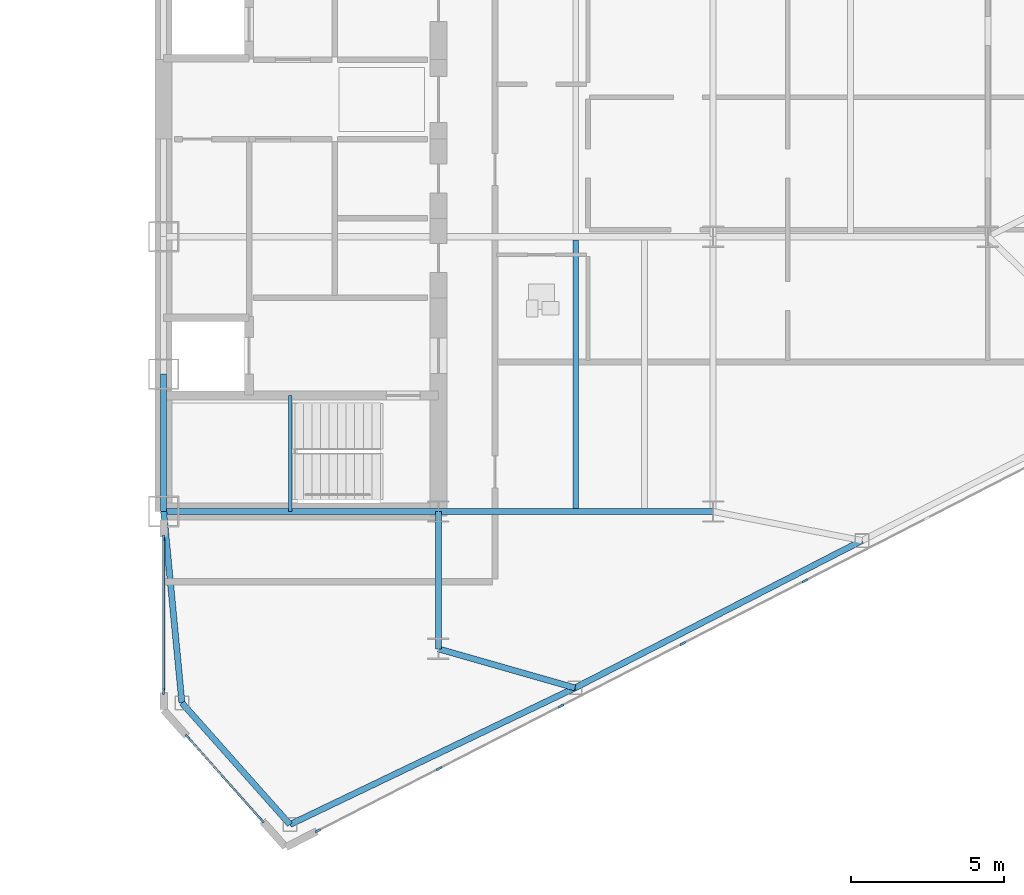
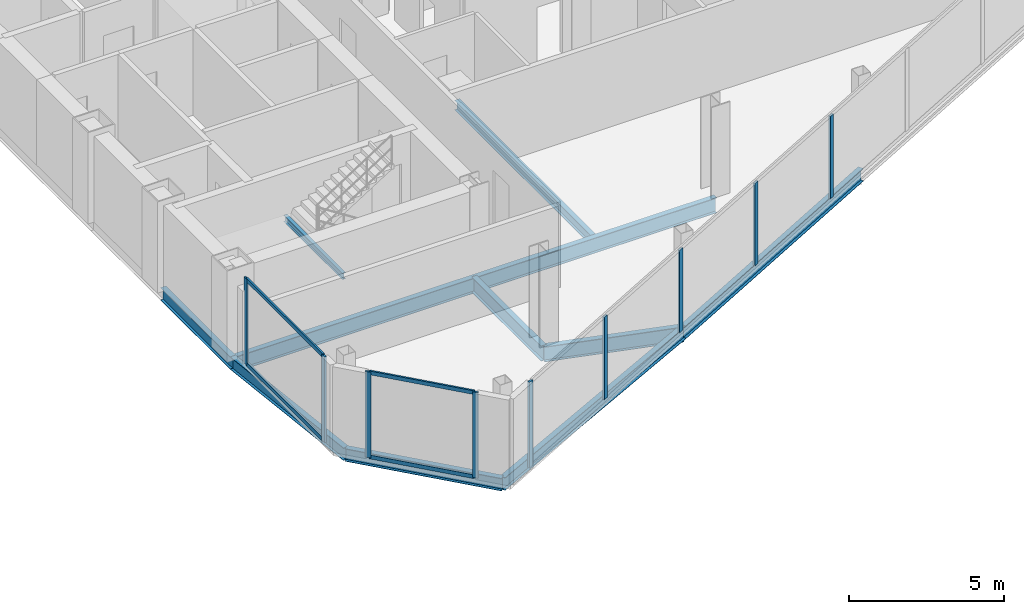
# One storey, part 8 of 22: 13 members, 11 beams, 3 elements without a shape of their own.
"""IFC4 building model written with IfcOpenShell, lengths in metres."""

import ifcopenshell
import ifcopenshell.guid

model = None  # the IFC model being written
_history = None  # IfcOwnerHistory: only IFC2X3 demands one
_inside = {}  # id of a spatial element -> (the spatial element, [elements in it])
_under = {}  # id of a project, library or spatial element -> (it, [spatial elements below it])
_declared = {}  # id of a project -> (the project, [libraries it declares])
_typed = {}  # id of a type object -> (the type object, [elements of that type])
_made_of = {}  # id of a material, layer set ... -> (it, [elements and type objects made of it])


def new_model(schema):
    """Start an empty IFC model of exactly this schema.

    Asked for "IFC4X3", IfcOpenShell would pick the latest addendum, in which some entities
    have other attributes; the version numbers below select the first issue.
    IFC2X3 requires an IfcOwnerHistory on every rooted entity: one is made here for all.
    """
    global model, _history
    if schema == "IFC4X3":
        model = ifcopenshell.file(schema_version=(4, 3, 0, 0))
    else:
        model = ifcopenshell.file(schema=schema)
    _inside.clear()
    _under.clear()
    _declared.clear()
    _typed.clear()
    _made_of.clear()
    _history = None
    if model.schema == "IFC2X3":
        org = make("IfcOrganization", Name="unknown")
        user = make(
            "IfcPersonAndOrganization",
            ThePerson=make("IfcPerson", FamilyName="unknown"),
            TheOrganization=org,
        )
        app = make(
            "IfcApplication",
            ApplicationDeveloper=org,
            Version="unknown",
            ApplicationFullName="unknown",
            ApplicationIdentifier="unknown",
        )
        _history = make(
            "IfcOwnerHistory",
            OwningUser=user,
            OwningApplication=app,
            ChangeAction="ADDED",
            CreationDate=0,
        )
    return model


def make(cls, **values):
    """One entity of the class cls with the attributes given. An attribute that is None is left unset."""
    return model.create_entity(
        cls, **{name: value for name, value in values.items() if value is not None}
    )


def rooted(cls, **values):
    """An entity with a GlobalId (a new one), such as an element, a storey or a relation."""
    return make(cls, GlobalId=ifcopenshell.guid.new(), OwnerHistory=_history, **values)


def si_unit(unit_type, name, prefix=None):
    """IfcSIUnit, for example si_unit("LENGTHUNIT", "METRE", prefix="MILLI")."""
    return make("IfcSIUnit", UnitType=unit_type, Prefix=prefix, Name=name)


def assignment(units):
    """IfcUnitAssignment: the units of a project."""
    return None if units is None else make("IfcUnitAssignment", Units=units)


def point(xyz):
    """IfcCartesianPoint."""
    return None if xyz is None else make("IfcCartesianPoint", Coordinates=xyz)


def direction(xyz):
    """IfcDirection."""
    return None if xyz is None else make("IfcDirection", DirectionRatios=xyz)


def frame(location, z_axis=None, x_axis=None):
    """IfcAxis2Placement3D, a coordinate frame: its origin and axes. An axis left out is left unset."""
    return make(
        "IfcAxis2Placement3D",
        Location=point(location),
        Axis=direction(z_axis),
        RefDirection=direction(x_axis),
    )


def frame_2d(location, x_axis=None):
    """IfcAxis2Placement2D, a coordinate frame in the plane: its origin and x axis."""
    return make(
        "IfcAxis2Placement2D", Location=point(location), RefDirection=direction(x_axis)
    )


def origin():
    """The frame at (0, 0, 0) with its axes left unset."""
    return frame((0.0, 0.0, 0.0))


def origin_2d():
    """The frame at (0, 0) in the plane with its x axis left unset."""
    return frame_2d((0.0, 0.0))


def place(relative_to, where):
    """IfcLocalPlacement: puts the frame where relative to a parent placement (None: the world)."""
    return make(
        "IfcLocalPlacement", PlacementRelTo=relative_to, RelativePlacement=where
    )


def context(
    kind, dimensions, precision=None, world=None, true_north=None, identifier=None
):
    """IfcGeometricRepresentationContext, for example the 3D "Model" context."""
    return make(
        "IfcGeometricRepresentationContext",
        ContextIdentifier=identifier,
        ContextType=kind,
        CoordinateSpaceDimension=dimensions,
        Precision=precision,
        WorldCoordinateSystem=world,
        TrueNorth=true_north,
    )


def subcontext(parent, identifier, kind, view, scale=None):
    """IfcGeometricRepresentationSubContext, for example "Body" below "Model"."""
    return make(
        "IfcGeometricRepresentationSubContext",
        ContextIdentifier=identifier,
        ContextType=kind,
        ParentContext=parent,
        TargetScale=scale,
        TargetView=view,
    )


def project(units=None, contexts=None):
    """IfcProject with its units and contexts."""
    return rooted(
        "IfcProject",
        Name="project",
        RepresentationContexts=contexts,
        UnitsInContext=assignment(units),
    )


def spatial(cls, under=None, at=None, **own):
    """A site, building, storey or space (cls), placed at a placement, below another one or the project."""
    s = rooted(cls, ObjectPlacement=at, **own)
    if under is not None:
        _under.setdefault(under.id(), (under, []))[1].append(s)
    return s


def profile(cls, at=None, kind="AREA", **sizes):
    """A parametric profile (cls). Its sizes go by their IFC names, for example OverallWidth=200.0."""
    return make(cls, ProfileType=kind, Position=at, **sizes)


def rectangle(**sizes):
    """IfcRectangleProfileDef."""
    return profile("IfcRectangleProfileDef", **sizes)


def i_section(**sizes):
    """IfcIShapeProfileDef."""
    return profile("IfcIShapeProfileDef", **sizes)


def extrude(swept, where, along, depth):
    """IfcExtrudedAreaSolid: the profile swept, set in the frame where, extruded along a direction by depth."""
    return make(
        "IfcExtrudedAreaSolid",
        SweptArea=swept,
        Position=where,
        ExtrudedDirection=direction(along),
        Depth=depth,
    )


def shape(context_of_items, identifier, shape_type, items):
    """IfcShapeRepresentation: the items that make up one representation, for example the "Body"."""
    return make(
        "IfcShapeRepresentation",
        ContextOfItems=context_of_items,
        RepresentationIdentifier=identifier,
        RepresentationType=shape_type,
        Items=items,
    )


def source(mapping_origin, context_of_items, identifier, shape_type, items):
    """IfcRepresentationMap: a shape defined once, which mapped items show again and again."""
    return make(
        "IfcRepresentationMap",
        MappingOrigin=mapping_origin,
        MappedRepresentation=shape(context_of_items, identifier, shape_type, items),
    )


def transform(
    local_origin,
    x_axis=None,
    y_axis=None,
    z_axis=None,
    scale=None,
    scale2=None,
    scale3=None,
    uniform=True,
):
    """IfcCartesianTransformationOperator3D, or its non-uniform kind. x_axis, y_axis, z_axis: its Axis1, 2, 3."""
    if uniform:
        return make(
            "IfcCartesianTransformationOperator3D",
            Axis1=direction(x_axis),
            Axis2=direction(y_axis),
            LocalOrigin=point(local_origin),
            Scale=scale,
            Axis3=direction(z_axis),
        )
    return make(
        "IfcCartesianTransformationOperator3DnonUniform",
        Axis1=direction(x_axis),
        Axis2=direction(y_axis),
        LocalOrigin=point(local_origin),
        Scale=scale,
        Axis3=direction(z_axis),
        Scale2=scale2,
        Scale3=scale3,
    )


def mapped(mapping_source, mapping_target):
    """IfcMappedItem: shows the shape of a source again, moved by a transform."""
    return make(
        "IfcMappedItem", MappingSource=mapping_source, MappingTarget=mapping_target
    )


def material(Name=None, Category=None):
    """IfcMaterial."""
    return make("IfcMaterial", Name=Name, Category=Category)


def layer(
    of_material, thickness, ventilated=None, Name=None, Category=None, Priority=None
):
    """IfcMaterialLayer: one layer of a wall or slab, of a material (None: an air gap)."""
    return make(
        "IfcMaterialLayer",
        Material=of_material,
        LayerThickness=thickness,
        IsVentilated=ventilated,
        Name=Name,
        Category=Category,
        Priority=Priority,
    )


def layer_set(layers, Name=None):
    """IfcMaterialLayerSet."""
    return make("IfcMaterialLayerSet", MaterialLayers=layers, LayerSetName=Name)


def material_profile(
    of_material, cross_section, Name=None, Category=None, Priority=None
):
    """IfcMaterialProfile: a cross section and its material."""
    return make(
        "IfcMaterialProfile",
        Name=Name,
        Material=of_material,
        Profile=cross_section,
        Priority=Priority,
        Category=Category,
    )


def profile_set(profiles, Name=None, composite=None):
    """IfcMaterialProfileSet."""
    return make(
        "IfcMaterialProfileSet",
        Name=Name,
        MaterialProfiles=profiles,
        CompositeProfile=composite,
    )


def made_of(thing, what):
    """Note that an element or type object is made of a material, layer set ...; save() writes the relation."""
    if what is not None:
        _made_of.setdefault(what.id(), (what, []))[1].append(thing)
    return thing


def type_object(cls, material=None, **own):
    """A type object (cls), such as IfcWallType, which elements share."""
    return made_of(rooted(cls, **own), material)


def type_shapes(of_type, sources):
    """Give a type object the sources (RepresentationMaps) that its elements show as mapped items."""
    of_type.RepresentationMaps = sources


def element(
    cls,
    number,
    at=None,
    inside=None,
    cuts=None,
    type_object=None,
    material=None,
    context=None,
    identifier="Body",
    shape_type=None,
    held_by="IfcProductDefinitionShape",
    body=None,
    shapes=None,
    **own,
):
    """One element of the class cls, such as IfcWall. Its Tag is "e" and its number.

    at: its placement. inside: the storey or other place that contains it. cuts: it is an
    opening in that element (IfcRelVoidsElement). A single representation is given by context,
    identifier, shape_type and body (its items); several are given by shapes. held_by: the class
    of the entity that holds the representations. save() writes the other relations.
    """
    e = rooted(cls, Tag="e%d" % number, ObjectPlacement=at, **own)
    if body is not None:
        shapes = [shape(context, identifier, shape_type, body)]
    if shapes is not None:
        e.Representation = make(held_by, Representations=shapes)
    if inside is not None:
        _inside.setdefault(inside.id(), (inside, []))[1].append(e)
    if cuts is not None:
        rooted(
            "IfcRelVoidsElement", RelatingBuildingElement=cuts, RelatedOpeningElement=e
        )
    if type_object is not None:
        _typed.setdefault(type_object.id(), (type_object, []))[1].append(e)
    return made_of(e, material)


def aggregate(whole, parts):
    """IfcRelAggregates: a whole, such as a stair, and the parts it consists of."""
    return rooted("IfcRelAggregates", RelatingObject=whole, RelatedObjects=parts)


def save(model, path):
    """Write the relations noted so far, then the file.

    IfcRelAggregates (storeys below a building ...), IfcRelContainedInSpatialStructure (elements
    in a storey), IfcRelDefinesByType, IfcRelAssociatesMaterial and IfcRelDeclares: one each for
    every whole, place, type object, material and project.
    """
    for whole, parts in _under.values():
        aggregate(whole, parts)
    for where, things in _inside.values():
        rooted(
            "IfcRelContainedInSpatialStructure",
            RelatedElements=things,
            RelatingStructure=where,
        )
    for kind, things in _typed.values():
        rooted("IfcRelDefinesByType", RelatedObjects=things, RelatingType=kind)
    for what, things in _made_of.values():
        rooted("IfcRelAssociatesMaterial", RelatedObjects=things, RelatingMaterial=what)
    for by, libraries in _declared.values():
        rooted("IfcRelDeclares", RelatingContext=by, RelatedDefinitions=libraries)
    model.write(path)


model = new_model("IFC4")

# Units and contexts
model_context = context("Model", 3, precision=1e-05, world=origin(), true_north=direction((0.0, 1.0)))
body_context = subcontext(model_context, "Body", "Model", "MODEL_VIEW")
ifc_project = project(units=[si_unit("LENGTHUNIT", "METRE"), si_unit("AREAUNIT", "SQUARE_METRE"), si_unit("VOLUMEUNIT", "CUBIC_METRE"), si_unit("PLANEANGLEUNIT", "RADIAN"), si_unit("MASSUNIT", "GRAM", prefix="KILO")], contexts=[model_context])

# Site, building, storey
site_placement = place(None, origin())
site = spatial("IfcSite", under=ifc_project, at=site_placement, CompositionType="ELEMENT")
building_placement = place(site_placement, origin())
building = spatial("IfcBuilding", under=site, at=building_placement, Name="Seokmaru Belvedere", CompositionType="ELEMENT")
storey_placement = place(building_placement, frame((0.0, 0.0, 151.199951171875)))
storey = spatial("IfcBuildingStorey", under=building, at=storey_placement, Name="L40", CompositionType="ELEMENT", Elevation=151.199951171875)

# Beams
ifc_material_1 = material(Name="Steel SM355 (355 MPa)", Category="steel")
ifc_material_profile_1 = material_profile(ifc_material_1, i_section(OverallWidth=0.199951171875, OverallDepth=0.5, WebThickness=0.010009765625, FlangeThickness=0.01611328125, at=origin_2d()), Name="H-500x200x10x16")
ifc_profile_set_1 = profile_set([ifc_material_profile_1], Name="Steel SM355 (355 MPa)")
beam_type_1 = type_object("IfcBeamType", Name="Perimeter Spandrel Beam H-500", PredefinedType="SPANDREL", material=ifc_profile_set_1)
shared_shape_1 = source(origin(), body_context, "Body", "SweptSolid", [
    extrude(i_section(OverallWidth=0.199951171875, OverallDepth=0.5, WebThickness=0.010009765625, FlangeThickness=0.01611328125, at=origin_2d()), origin(), (0.0, 0.0, 1.0), 4.5),
])
beam_1_placement = place(storey_placement, frame((27.5, -13.5, -0.469970703125), z_axis=(0.0, 1.0, 0.0), x_axis=(-1.0, 0.0, 0.0)))
element("IfcBeam", 1, at=beam_1_placement, inside=storey, type_object=beam_type_1, Name="L40 E Portal Spine Spandrel 1", PredefinedType="SPANDREL", context=body_context, shape_type="MappedRepresentation", body=[
    mapped(shared_shape_1, transform((0.0, 0.0, 0.0), scale=1.0)),
])
ifc_material_profile_2 = material_profile(ifc_material_1, i_section(OverallWidth=0.199951171875, OverallDepth=0.60009765625, WebThickness=0.010986328125, FlangeThickness=0.01708984375, at=origin_2d()), Name="H-600x200x11x17")
ifc_profile_set_2 = profile_set([ifc_material_profile_2], Name="Steel SM355 (355 MPa)")
beam_type_2 = type_object("IfcBeamType", Name="Primary Floor Girder H-600", PredefinedType="BEAM", material=ifc_profile_set_2)
shared_shape_2 = source(origin(), body_context, "Body", "SweptSolid", [
    extrude(i_section(OverallWidth=0.199951171875, OverallDepth=0.60009765625, WebThickness=0.010986328125, FlangeThickness=0.01708984375, at=origin_2d()), origin(), (0.0, 0.0, 1.0), 9.0),
])
for number, where, z_axis, x_axis, name in (
    (2, (27.5, -13.5, -0.52001953125), (1.0, 0.0, 0.0), (0.0, 1.0, 0.0), "L40 E Core Tie Girder 1"),
    (3, (36.5, -13.5, -0.52001953125), (1.0, 0.0, 0.0), (0.0, 1.0, 0.0), "L40 E Wing Primary Girder 1"),
):
    element("IfcBeam", number, at=place(storey_placement, frame(where, z_axis=z_axis, x_axis=x_axis)), inside=storey, type_object=beam_type_2, Name=name, PredefinedType="BEAM", context=body_context, shape_type="MappedRepresentation", body=[
        mapped(shared_shape_2, transform((0.0, 0.0, 0.0), scale=1.0)),
    ])
ifc_material_profile_3 = material_profile(ifc_material_1, i_section(OverallWidth=0.18505859375, OverallDepth=0.389892578125, WebThickness=0.008056640625, FlangeThickness=0.011962890625, at=origin_2d()), Name="H-390x185x8x12")
ifc_profile_set_3 = profile_set([ifc_material_profile_3], Name="Steel SM355 (355 MPa)")
beam_type_3 = type_object("IfcBeamType", Name="Secondary Floor Joist H-350", PredefinedType="JOIST", material=ifc_profile_set_3)
shared_shape_3 = source(origin(), body_context, "Body", "SweptSolid", [
    extrude(i_section(OverallWidth=0.18505859375, OverallDepth=0.389892578125, WebThickness=0.008056640625, FlangeThickness=0.011962890625, at=origin_2d()), origin(), (0.0, 0.0, 1.0), 8.7900390625),
])
type_shapes(beam_type_3, [shared_shape_3])
beam_2_placement = place(storey_placement, frame((41.0, -13.39501953125, -0.4150390625), z_axis=(0.0, 1.0, 0.0), x_axis=(-1.0, 0.0, 0.0)))
element("IfcBeam", 4, at=beam_2_placement, inside=storey, type_object=beam_type_3, Name="L40 E Secondary Floor Joist 1", PredefinedType="JOIST", context=body_context, shape_type="MappedRepresentation", body=[
    mapped(shared_shape_3, transform((0.0, 0.0, 0.0), scale=1.0)),
])
shared_shape_4 = source(origin(), body_context, "Body", "SweptSolid", [
    extrude(i_section(OverallWidth=0.199951171875, OverallDepth=0.60009765625, WebThickness=0.010986328125, FlangeThickness=0.01708984375, at=origin_2d()), origin(), (0.0, 0.0, 1.0), 4.5),
])
beam_3_placement = place(storey_placement, frame((36.5, -18.0, -0.52001953125), z_axis=(0.0, 1.0, 0.0), x_axis=(-1.0, 0.0, 0.0)))
element("IfcBeam", 5, at=beam_3_placement, inside=storey, type_object=beam_type_2, Name="L40 E Core Shoulder Girder S", PredefinedType="BEAM", context=body_context, shape_type="MappedRepresentation", body=[
    mapped(shared_shape_4, transform((0.0, 0.0, 0.0), scale=1.0)),
])
shared_shape_5 = source(origin(), body_context, "Body", "SweptSolid", [
    extrude(i_section(OverallWidth=0.199951171875, OverallDepth=0.5, WebThickness=0.010009765625, FlangeThickness=0.01611328125, at=origin_2d()), origin(), (0.0, 0.0, 1.0), 10.353759765625),
])
beam_4_placement = place(storey_placement, frame((31.6396484375, -23.75390625, -0.469970703125), z_axis=(0.901713202822, 0.432334708134, 0.0), x_axis=(-0.432334708134, 0.901713202822, 0.0)))
element("IfcBeam", 6, at=beam_4_placement, inside=storey, type_object=beam_type_1, Name="L40 E Faceted Flank Spandrel S-1", PredefinedType="SPANDREL", context=body_context, shape_type="MappedRepresentation", body=[
    mapped(shared_shape_5, transform((0.0, 0.0, 0.0), scale=1.0)),
])
shared_shape_6 = source(origin(), body_context, "Body", "SweptSolid", [
    extrude(i_section(OverallWidth=0.199951171875, OverallDepth=0.5, WebThickness=0.010009765625, FlangeThickness=0.01611328125, at=origin_2d()), origin(), (0.0, 0.0, 1.0), 10.56689453125),
])
beam_5_placement = place(storey_placement, frame((40.975830078125, -19.277587890625, -0.469970703125), z_axis=(0.889701972758, 0.45654178305, 0.0), x_axis=(-0.45654178305, 0.889701972758, 0.0)))
element("IfcBeam", 7, at=beam_5_placement, inside=storey, type_object=beam_type_1, Name="L40 E Faceted Flank Spandrel S-2", PredefinedType="SPANDREL", context=body_context, shape_type="MappedRepresentation", body=[
    mapped(shared_shape_6, transform((0.0, 0.0, 0.0), scale=1.0)),
])
shared_shape_7 = source(origin(), body_context, "Body", "SweptSolid", [
    extrude(i_section(OverallWidth=0.199951171875, OverallDepth=0.5, WebThickness=0.010009765625, FlangeThickness=0.01611328125, at=origin_2d()), origin(), (0.0, 0.0, 1.0), 5.32763671875),
])
beam_6_placement = place(storey_placement, frame((31.6396484375, -23.75390625, -0.469970703125), z_axis=(-0.66436952742, 0.74740426212, 0.0), x_axis=(-0.74740426212, -0.66436952742, 0.0)))
element("IfcBeam", 8, at=beam_6_placement, inside=storey, type_object=beam_type_1, Name="L40 E Shoulder Chamfer Spandrel S", PredefinedType="SPANDREL", context=body_context, shape_type="MappedRepresentation", body=[
    mapped(shared_shape_7, transform((0.0, 0.0, 0.0), scale=1.0)),
])
shared_shape_8 = source(origin(), body_context, "Body", "SweptSolid", [
    extrude(i_section(OverallWidth=0.199951171875, OverallDepth=0.5, WebThickness=0.010009765625, FlangeThickness=0.01611328125, at=origin_2d()), origin(), (0.0, 0.0, 1.0), 6.300537109375),
])
type_shapes(beam_type_1, [shared_shape_1, shared_shape_5, shared_shape_6, shared_shape_7, shared_shape_8])
beam_7_placement = place(storey_placement, frame((28.10009765625, -19.77197265625, -0.469970703125), z_axis=(-0.095244287992, 0.995453929424, 0.0), x_axis=(-0.995453929424, -0.095244287992, 0.0)))
element("IfcBeam", 9, at=beam_7_placement, inside=storey, type_object=beam_type_1, Name="L40 E Shoulder Spine Spandrel S", PredefinedType="SPANDREL", context=body_context, shape_type="MappedRepresentation", body=[
    mapped(shared_shape_8, transform((0.0, 0.0, 0.0), scale=1.0)),
])
shared_shape_9 = source(origin(), body_context, "Body", "SweptSolid", [
    extrude(i_section(OverallWidth=0.199951171875, OverallDepth=0.60009765625, WebThickness=0.010986328125, FlangeThickness=0.01708984375, at=origin_2d()), origin(), (0.0, 0.0, 1.0), 4.654541015625),
])
type_shapes(beam_type_2, [shared_shape_2, shared_shape_4, shared_shape_9])
beam_8_placement = place(storey_placement, frame((40.975830078125, -19.277587890625, -0.52001953125), z_axis=(-0.961593192625, 0.274478654721, 0.0), x_axis=(-0.274478654721, -0.961593192625, 0.0)))
element("IfcBeam", 10, at=beam_8_placement, inside=storey, type_object=beam_type_2, Name="L40 E Flank Radial Floor Girder S-1", PredefinedType="BEAM", context=body_context, shape_type="MappedRepresentation", body=[
    mapped(shared_shape_9, transform((0.0, 0.0, 0.0), scale=1.0)),
])

# Curtain wall, member
ifc_material_2 = material(Name="Bronze Triple Insulating Glass", Category="glass")
ifc_layer = layer(ifc_material_2, 0.195068359375)
ifc_layer_set = layer_set([ifc_layer], Name="Bronze Triple Insulating Glass")
curtain_wall_type = type_object("IfcCurtainWallType", Name="Sky-Lobby and Mid-Rise Curtain Wall System CW-4", PredefinedType="NOTDEFINED", material=ifc_layer_set)
curtain_wall_1_placement = place(storey_placement, origin())
curtain_wall_1 = element("IfcCurtainWall", 11, at=curtain_wall_1_placement, inside=storey, type_object=curtain_wall_type, Name="L40 Curtain Wall EF1", PredefinedType="NOTDEFINED")
ifc_material_3 = material(Name="Anodised Bronze Aluminium", Category="aluminium")
ifc_material_profile_4 = material_profile(ifc_material_3, rectangle(XDim=0.070068359375, YDim=0.195068359375, at=origin_2d()), Name="CW-M-70x195")
ifc_profile_set_4 = profile_set([ifc_material_profile_4], Name="Anodised Bronze Aluminium")
member_type_1 = type_object("IfcMemberType", Name="Bronze Unitised Mullion 70x195", PredefinedType="MULLION", material=ifc_profile_set_4)
shared_shape_10 = source(origin(), body_context, "Body", "SweptSolid", [
    extrude(rectangle(XDim=0.070068359375, YDim=0.195068359375, at=origin_2d()), origin(), (0.0, 0.0, 1.0), 3.380126953125),
])
member_1_placement = place(storey_placement, frame((32.55419921875, -23.958984375, 0.0), z_axis=(0.0, 0.0, 1.0), x_axis=(-0.456554528263, 0.889695432562, 0.0)))
member_1 = element("IfcMember", 12, at=member_1_placement, type_object=member_type_1, Name="CW:L40:EF1 Mullion 1", PredefinedType="MULLION", context=body_context, shape_type="MappedRepresentation", body=[
    mapped(shared_shape_10, transform((0.0, 0.0, 0.0), scale=1.0)),
])

# Curtain wall, members
curtain_wall_2_placement = place(storey_placement, origin())
curtain_wall_2 = element("IfcCurtainWall", 13, at=curtain_wall_2_placement, inside=storey, type_object=curtain_wall_type, Name="L40 Curtain Wall ESP_1", PredefinedType="NOTDEFINED")
member_2_placement = place(storey_placement, frame((27.5, -14.364990234375, 0.0), z_axis=(0.0, 0.0, 1.0), x_axis=(1.0, 0.0, 0.0)))
member_2 = element("IfcMember", 14, at=member_2_placement, type_object=member_type_1, Name="CW:L40:ESP_1 Mullion 1", PredefinedType="MULLION", context=body_context, shape_type="MappedRepresentation", body=[
    mapped(shared_shape_10, transform((0.0, 0.0, 0.0), scale=1.0)),
])
member_3_placement = place(storey_placement, frame((27.5, -19.39501953125, 0.0), z_axis=(0.0, 0.0, 1.0), x_axis=(1.0, 0.0, 0.0)))
member_3 = element("IfcMember", 15, at=member_3_placement, type_object=member_type_1, Name="CW:L40:ESP_1 Mullion 2", PredefinedType="MULLION", context=body_context, shape_type="MappedRepresentation", body=[
    mapped(shared_shape_10, transform((0.0, 0.0, 0.0), scale=1.0)),
])

curtain_wall_3_placement = place(storey_placement, origin())
curtain_wall_3 = element("IfcCurtainWall", 16, at=curtain_wall_3_placement, inside=storey, type_object=curtain_wall_type, Name="L40 Curtain Wall EF6", PredefinedType="NOTDEFINED")
member_4_placement = place(storey_placement, frame((28.287353515625, -20.8857421875, 0.0), z_axis=(0.0, 0.0, 1.0), x_axis=(0.747409774804, 0.664363325694, 0.0)))
member_4 = element("IfcMember", 17, at=member_4_placement, type_object=member_type_1, Name="CW:L40:EF6 Mullion 1", PredefinedType="MULLION", context=body_context, shape_type="MappedRepresentation", body=[
    mapped(shared_shape_10, transform((0.0, 0.0, 0.0), scale=1.0)),
])
member_5_placement = place(storey_placement, frame((30.712646484375, -23.6142578125, 0.0), z_axis=(0.0, 0.0, 1.0), x_axis=(0.747409774804, 0.664363325694, 0.0)))
member_5 = element("IfcMember", 18, at=member_5_placement, type_object=member_type_1, Name="CW:L40:EF6 Mullion 2", PredefinedType="MULLION", context=body_context, shape_type="MappedRepresentation", body=[
    mapped(shared_shape_10, transform((0.0, 0.0, 0.0), scale=1.0)),
])
ifc_material_profile_5 = material_profile(ifc_material_3, rectangle(XDim=0.06494140625, YDim=0.14990234375, at=origin_2d()), Name="CW-T-65x150")
ifc_profile_set_5 = profile_set([ifc_material_profile_5], Name="Anodised Bronze Aluminium")
member_type_2 = type_object("IfcMemberType", Name="Bronze Unitised Transom 65x150", PredefinedType="USERDEFINED", material=ifc_profile_set_5)
shared_shape_11 = source(origin(), body_context, "Body", "SweptSolid", [
    extrude(rectangle(XDim=0.06494140625, YDim=0.14990234375, at=origin_2d()), origin(), (0.0, 0.0, 1.0), 3.580810546875),
])
member_6_placement = place(storey_placement, frame((28.310546875, -20.911865234375, 0.032470703125), z_axis=(0.66436383883, -0.747409318684, 0.0), x_axis=(0.747409318684, 0.66436383883, 0.0)))
member_6 = element("IfcMember", 19, at=member_6_placement, type_object=member_type_2, Name="CW:L40:EF6 Continuous Transom 1", ObjectType="TRANSOM", PredefinedType="USERDEFINED", context=body_context, shape_type="MappedRepresentation", body=[
    mapped(shared_shape_11, transform((0.0, 0.0, 0.0), scale=1.0)),
])
member_7_placement = place(storey_placement, frame((28.310546875, -20.911865234375, 3.34765625), z_axis=(0.66436383883, -0.747409318684, 0.0), x_axis=(0.747409318684, 0.66436383883, 0.0)))
member_7 = element("IfcMember", 20, at=member_7_placement, type_object=member_type_2, Name="CW:L40:EF6 Continuous Transom 2", ObjectType="TRANSOM", PredefinedType="USERDEFINED", context=body_context, shape_type="MappedRepresentation", body=[
    mapped(shared_shape_11, transform((0.0, 0.0, 0.0), scale=1.0)),
])
aggregate(curtain_wall_3, [member_4, member_5, member_6, member_7])

# Member
shared_shape_12 = source(origin(), body_context, "Body", "SweptSolid", [
    extrude(rectangle(XDim=0.070068359375, YDim=0.195068359375, at=origin_2d()), origin(), (0.0, 0.0, 1.0), 3.25),
])
type_shapes(member_type_1, [shared_shape_10, shared_shape_12])
member_8_placement = place(storey_placement, frame((36.51806640625, -21.925048828125, 0.06494140625), z_axis=(0.0, 0.0, 1.0), x_axis=(-0.456554528263, 0.889695432562, 0.0)))
member_8 = element("IfcMember", 21, at=member_8_placement, type_object=member_type_1, Name="CW:L40:EF1 Mullion 2", PredefinedType="MULLION", context=body_context, shape_type="MappedRepresentation", body=[
    mapped(shared_shape_12, transform((0.0, 0.0, 0.0), scale=1.0)),
])

member_9_placement = place(storey_placement, frame((40.5126953125, -19.875, 0.06494140625), z_axis=(0.0, 0.0, 1.0), x_axis=(-0.456554528263, 0.889695432562, 0.0)))
member_9 = element("IfcMember", 22, at=member_9_placement, type_object=member_type_1, Name="CW:L40:EF1 Mullion 3", PredefinedType="MULLION", context=body_context, shape_type="MappedRepresentation", body=[
    mapped(shared_shape_12, transform((0.0, 0.0, 0.0), scale=1.0)),
])

member_10_placement = place(storey_placement, frame((44.5078125, -17.824951171875, 0.06494140625), z_axis=(0.0, 0.0, 1.0), x_axis=(-0.456554528263, 0.889695432562, 0.0)))
member_10 = element("IfcMember", 23, at=member_10_placement, type_object=member_type_1, Name="CW:L40:EF1 Mullion 4", PredefinedType="MULLION", context=body_context, shape_type="MappedRepresentation", body=[
    mapped(shared_shape_12, transform((0.0, 0.0, 0.0), scale=1.0)),
])

member_11_placement = place(storey_placement, frame((48.502685546875, -15.77490234375, 0.06494140625), z_axis=(0.0, 0.0, 1.0), x_axis=(-0.456554528263, 0.889695432562, 0.0)))
member_11 = element("IfcMember", 24, at=member_11_placement, type_object=member_type_1, Name="CW:L40:EF1 Mullion 5", PredefinedType="MULLION", context=body_context, shape_type="MappedRepresentation", body=[
    mapped(shared_shape_12, transform((0.0, 0.0, 0.0), scale=1.0)),
])

aggregate(curtain_wall_1, [member_1, member_8, member_9, member_10, member_11])

shared_shape_13 = source(origin(), body_context, "Body", "SweptSolid", [
    extrude(rectangle(XDim=0.06494140625, YDim=0.14990234375, at=origin_2d()), origin(), (0.0, 0.0, 1.0), 4.960205078125),
])
type_shapes(member_type_2, [shared_shape_11, shared_shape_13])
member_12_placement = place(storey_placement, frame((27.5, -14.39990234375, 0.032470703125), z_axis=(0.0, -1.0, 0.0), x_axis=(1.0, 0.0, 0.0)))
member_12 = element("IfcMember", 25, at=member_12_placement, type_object=member_type_2, Name="CW:L40:ESP_1 Continuous Transom 1", ObjectType="TRANSOM", PredefinedType="USERDEFINED", context=body_context, shape_type="MappedRepresentation", body=[
    mapped(shared_shape_13, transform((0.0, 0.0, 0.0), scale=1.0)),
])

member_13_placement = place(storey_placement, frame((27.5, -14.39990234375, 3.34765625), z_axis=(0.0, -1.0, 0.0), x_axis=(1.0, 0.0, 0.0)))
member_13 = element("IfcMember", 26, at=member_13_placement, type_object=member_type_2, Name="CW:L40:ESP_1 Continuous Transom 2", ObjectType="TRANSOM", PredefinedType="USERDEFINED", context=body_context, shape_type="MappedRepresentation", body=[
    mapped(shared_shape_13, transform((0.0, 0.0, 0.0), scale=1.0)),
])

aggregate(curtain_wall_2, [member_2, member_3, member_12, member_13])

# Beam
ifc_material_profile_6 = material_profile(ifc_material_1, i_section(OverallWidth=0.125, OverallDepth=0.25, WebThickness=0.006103515625, FlangeThickness=0.009033203125, at=origin_2d()), Name="H-250x125x6x9")
ifc_profile_set_6 = profile_set([ifc_material_profile_6], Name="Steel SM355 (355 MPa)")
beam_type_4 = type_object("IfcBeamType", Name="Stair Mid-Landing Support Beam H-250", PredefinedType="JOIST", material=ifc_profile_set_6)
shared_shape_14 = source(origin(), body_context, "Body", "SweptSolid", [
    extrude(i_section(OverallWidth=0.125, OverallDepth=0.25, WebThickness=0.006103515625, FlangeThickness=0.009033203125, at=origin_2d()), origin(), (0.0, 0.0, 1.0), 3.800048828125),
])
type_shapes(beam_type_4, [shared_shape_14])
beam_9_placement = place(storey_placement, frame((31.64990234375, -13.5, 1.47509765625), z_axis=(0.0, 1.0, 0.0), x_axis=(-1.0, 0.0, 0.0)))
element("IfcBeam", 27, at=beam_9_placement, inside=storey, type_object=beam_type_4, Name="L40 Stair ST-E1 Mid-Landing Support Beam 1", PredefinedType="JOIST", context=body_context, shape_type="MappedRepresentation", body=[
    mapped(shared_shape_14, transform((0.0, 0.0, 0.0), scale=1.0)),
])

save(model, "model.ifc")
